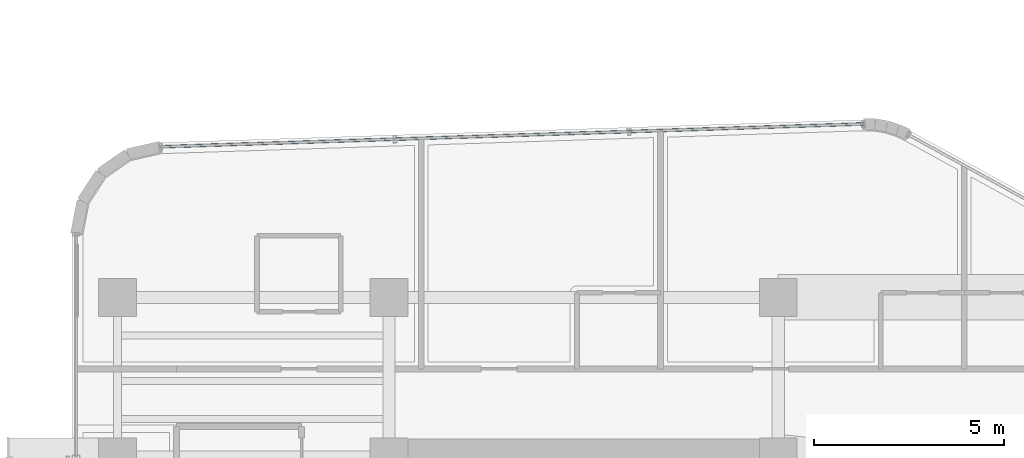
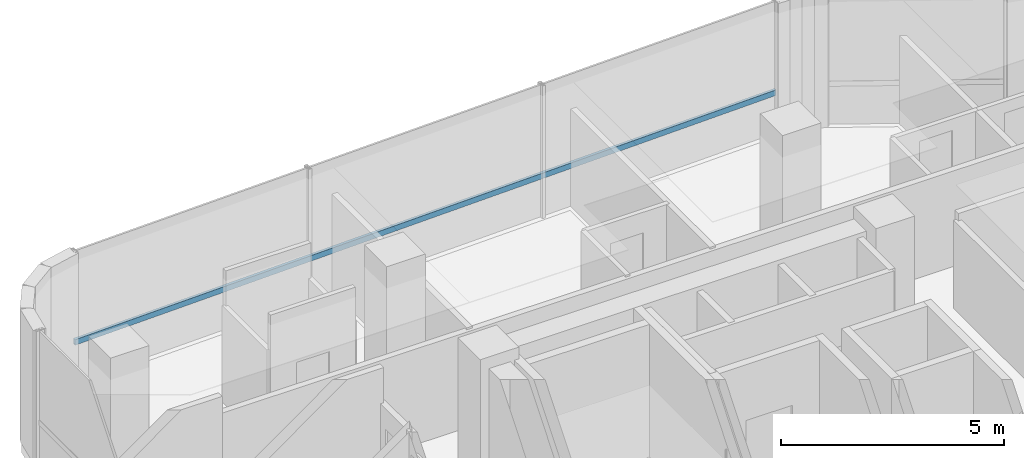
# One storey, part 19 of 36: 1 member, 1 element without a shape of its own.
"""IFC4 building model written with IfcOpenShell, lengths in metres."""

from ifc_helpers import new_model, si_unit, direction, frame, origin, origin_2d, place, context, subcontext, project, spatial, hollow_rectangle, extrude, source, transform, mapped, material, material_profile, profile_set, type_object, element, aggregate, save


model = new_model("IFC4")

# Units and contexts
model_context = context("Model", 3, precision=1e-05, world=origin(), true_north=direction((0.0, 1.0)))
body_context = subcontext(model_context, "Body", "Model", "MODEL_VIEW")
ifc_project = project(units=[si_unit("LENGTHUNIT", "METRE"), si_unit("AREAUNIT", "SQUARE_METRE"), si_unit("VOLUMEUNIT", "CUBIC_METRE"), si_unit("PLANEANGLEUNIT", "RADIAN"), si_unit("MASSUNIT", "GRAM", prefix="KILO")], contexts=[model_context])

# Site, building, storey
site_placement = place(None, origin())
site = spatial("IfcSite", under=ifc_project, at=site_placement, CompositionType="ELEMENT")
building_placement = place(site_placement, origin())
building = spatial("IfcBuilding", under=site, at=building_placement, Name="Valdorenza Pilgrim Sanctuary Tower", CompositionType="ELEMENT")
storey_placement = place(building_placement, frame((0.0, 0.0, 176.550048828125)))
storey = spatial("IfcBuildingStorey", under=building, at=storey_placement, Name="L45", CompositionType="ELEMENT", Elevation=176.550048828125)

# Curtain wall, member
ifc_material_1 = material(Name="Curtain-wall IGU glazing", Category="glass")
curtain_wall_type = type_object("IfcCurtainWallType", Name="CW-SYS-02", PredefinedType="NOTDEFINED", material=ifc_material_1)
curtain_wall_placement = place(storey_placement, origin())
curtain_wall = element("IfcCurtainWall", 1, at=curtain_wall_placement, inside=storey, type_object=curtain_wall_type, Name="L45 Curtain Wall CW-L45-1-6", PredefinedType="NOTDEFINED")
ifc_material_2 = material(Name="Anodised aluminium AW-6060", Category="aluminium")
ifc_material_profile = material_profile(ifc_material_2, hollow_rectangle(XDim=0.074951171875, YDim=0.14990234375, WallThickness=0.00390625, at=origin_2d()), Name="ALU-T 150x75x4")
ifc_profile_set = profile_set([ifc_material_profile], Name="Anodised aluminium AW-6060")
member_type = type_object("IfcMemberType", Name="CW-TRN-02", PredefinedType="USERDEFINED", material=ifc_profile_set)
shared_shape = source(origin(), body_context, "Body", "SweptSolid", [
    extrude(hollow_rectangle(XDim=0.074951171875, YDim=0.14990234375, WallThickness=0.00390625, at=origin_2d()), origin(), (0.0, 0.0, 1.0), 18.515625),
])
member_placement = place(storey_placement, frame((-28.663818359375, 18.76611328125, 1.119873046875), z_axis=(0.99947079366, 0.032528950501, 0.0), x_axis=(-0.032528950501, 0.99947079366, 0.0)))
member = element("IfcMember", 2, at=member_placement, type_object=member_type, Name="CW-L45-1-6 Transom 1", ObjectType="TRANSOM", PredefinedType="USERDEFINED", context=body_context, shape_type="MappedRepresentation", body=[
    mapped(shared_shape, transform((0.0, 0.0, 0.0), x_axis=(1.0, 0.0, 0.0), y_axis=(0.0, 1.0, 0.0), z_axis=(0.0, 0.0, 1.0), scale=1.0)),
])
aggregate(curtain_wall, [member])

save(model, "model.ifc")
